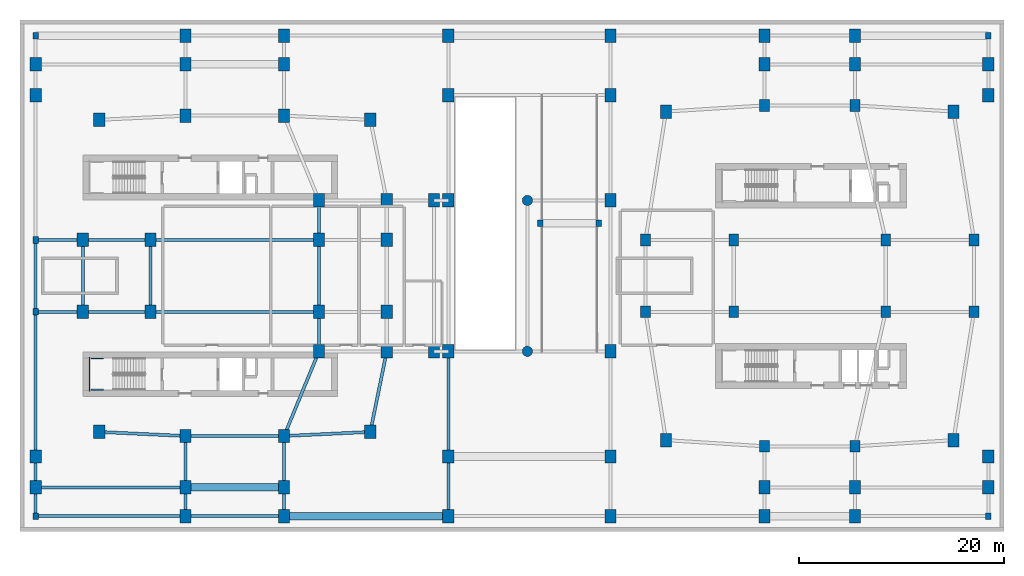
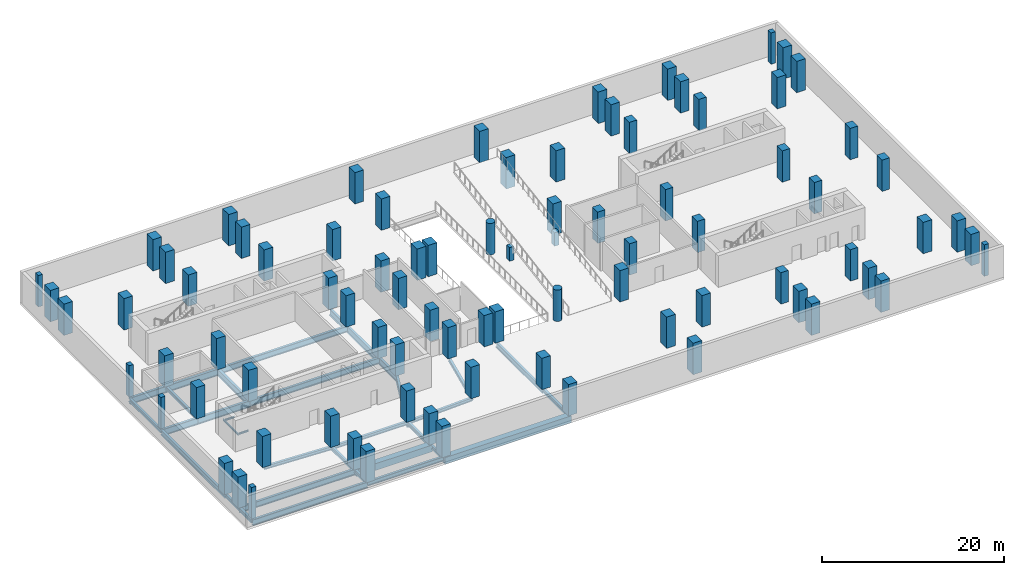
# One storey, part 1 of 13: 84 columns, 34 beams.
"""IFC4 building model written with IfcOpenShell, lengths in metres."""

import ifcopenshell
import ifcopenshell.guid

model = None  # the IFC model being written
_history = None  # IfcOwnerHistory: only IFC2X3 demands one
_inside = {}  # id of a spatial element -> (the spatial element, [elements in it])
_under = {}  # id of a project, library or spatial element -> (it, [spatial elements below it])
_declared = {}  # id of a project -> (the project, [libraries it declares])
_typed = {}  # id of a type object -> (the type object, [elements of that type])
_made_of = {}  # id of a material, layer set ... -> (it, [elements and type objects made of it])


def new_model(schema):
    """Start an empty IFC model of exactly this schema.

    Asked for "IFC4X3", IfcOpenShell would pick the latest addendum, in which some entities
    have other attributes; the version numbers below select the first issue.
    IFC2X3 requires an IfcOwnerHistory on every rooted entity: one is made here for all.
    """
    global model, _history
    if schema == "IFC4X3":
        model = ifcopenshell.file(schema_version=(4, 3, 0, 0))
    else:
        model = ifcopenshell.file(schema=schema)
    _inside.clear()
    _under.clear()
    _declared.clear()
    _typed.clear()
    _made_of.clear()
    _history = None
    if model.schema == "IFC2X3":
        org = make("IfcOrganization", Name="unknown")
        user = make(
            "IfcPersonAndOrganization",
            ThePerson=make("IfcPerson", FamilyName="unknown"),
            TheOrganization=org,
        )
        app = make(
            "IfcApplication",
            ApplicationDeveloper=org,
            Version="unknown",
            ApplicationFullName="unknown",
            ApplicationIdentifier="unknown",
        )
        _history = make(
            "IfcOwnerHistory",
            OwningUser=user,
            OwningApplication=app,
            ChangeAction="ADDED",
            CreationDate=0,
        )
    return model


def make(cls, **values):
    """One entity of the class cls with the attributes given. An attribute that is None is left unset."""
    return model.create_entity(
        cls, **{name: value for name, value in values.items() if value is not None}
    )


def rooted(cls, **values):
    """An entity with a GlobalId (a new one), such as an element, a storey or a relation."""
    return make(cls, GlobalId=ifcopenshell.guid.new(), OwnerHistory=_history, **values)


def si_unit(unit_type, name, prefix=None):
    """IfcSIUnit, for example si_unit("LENGTHUNIT", "METRE", prefix="MILLI")."""
    return make("IfcSIUnit", UnitType=unit_type, Prefix=prefix, Name=name)


def derived_unit(unit_type, elements):
    """IfcDerivedUnit: a product of units, each with its exponent."""
    return make(
        "IfcDerivedUnit",
        Elements=[
            make("IfcDerivedUnitElement", Unit=unit, Exponent=power)
            for unit, power in elements
        ],
        UnitType=unit_type,
    )


def assignment(units):
    """IfcUnitAssignment: the units of a project."""
    return None if units is None else make("IfcUnitAssignment", Units=units)


def point(xyz):
    """IfcCartesianPoint."""
    return None if xyz is None else make("IfcCartesianPoint", Coordinates=xyz)


def direction(xyz):
    """IfcDirection."""
    return None if xyz is None else make("IfcDirection", DirectionRatios=xyz)


def frame(location, z_axis=None, x_axis=None):
    """IfcAxis2Placement3D, a coordinate frame: its origin and axes. An axis left out is left unset."""
    return make(
        "IfcAxis2Placement3D",
        Location=point(location),
        Axis=direction(z_axis),
        RefDirection=direction(x_axis),
    )


def frame_2d(location, x_axis=None):
    """IfcAxis2Placement2D, a coordinate frame in the plane: its origin and x axis."""
    return make(
        "IfcAxis2Placement2D", Location=point(location), RefDirection=direction(x_axis)
    )


def origin():
    """The frame at (0, 0, 0) with its axes left unset."""
    return frame((0.0, 0.0, 0.0))


def origin_2d():
    """The frame at (0, 0) in the plane with its x axis left unset."""
    return frame_2d((0.0, 0.0))


def place(relative_to, where):
    """IfcLocalPlacement: puts the frame where relative to a parent placement (None: the world)."""
    return make(
        "IfcLocalPlacement", PlacementRelTo=relative_to, RelativePlacement=where
    )


def context(
    kind, dimensions, precision=None, world=None, true_north=None, identifier=None
):
    """IfcGeometricRepresentationContext, for example the 3D "Model" context."""
    return make(
        "IfcGeometricRepresentationContext",
        ContextIdentifier=identifier,
        ContextType=kind,
        CoordinateSpaceDimension=dimensions,
        Precision=precision,
        WorldCoordinateSystem=world,
        TrueNorth=true_north,
    )


def subcontext(parent, identifier, kind, view, scale=None):
    """IfcGeometricRepresentationSubContext, for example "Body" below "Model"."""
    return make(
        "IfcGeometricRepresentationSubContext",
        ContextIdentifier=identifier,
        ContextType=kind,
        ParentContext=parent,
        TargetScale=scale,
        TargetView=view,
    )


def project(units=None, contexts=None):
    """IfcProject with its units and contexts."""
    return rooted(
        "IfcProject",
        Name="project",
        RepresentationContexts=contexts,
        UnitsInContext=assignment(units),
    )


def spatial(cls, under=None, at=None, **own):
    """A site, building, storey or space (cls), placed at a placement, below another one or the project."""
    s = rooted(cls, ObjectPlacement=at, **own)
    if under is not None:
        _under.setdefault(under.id(), (under, []))[1].append(s)
    return s


def profile(cls, at=None, kind="AREA", **sizes):
    """A parametric profile (cls). Its sizes go by their IFC names, for example OverallWidth=200.0."""
    return make(cls, ProfileType=kind, Position=at, **sizes)


def rectangle(**sizes):
    """IfcRectangleProfileDef."""
    return profile("IfcRectangleProfileDef", **sizes)


def circle(**sizes):
    """IfcCircleProfileDef."""
    return profile("IfcCircleProfileDef", **sizes)


def i_section(**sizes):
    """IfcIShapeProfileDef."""
    return profile("IfcIShapeProfileDef", **sizes)


def extrude(swept, where, along, depth):
    """IfcExtrudedAreaSolid: the profile swept, set in the frame where, extruded along a direction by depth."""
    return make(
        "IfcExtrudedAreaSolid",
        SweptArea=swept,
        Position=where,
        ExtrudedDirection=direction(along),
        Depth=depth,
    )


def shape(context_of_items, identifier, shape_type, items):
    """IfcShapeRepresentation: the items that make up one representation, for example the "Body"."""
    return make(
        "IfcShapeRepresentation",
        ContextOfItems=context_of_items,
        RepresentationIdentifier=identifier,
        RepresentationType=shape_type,
        Items=items,
    )


def material(Name=None, Category=None):
    """IfcMaterial."""
    return make("IfcMaterial", Name=Name, Category=Category)


def material_profile(
    of_material, cross_section, Name=None, Category=None, Priority=None
):
    """IfcMaterialProfile: a cross section and its material."""
    return make(
        "IfcMaterialProfile",
        Name=Name,
        Material=of_material,
        Profile=cross_section,
        Priority=Priority,
        Category=Category,
    )


def profile_set(profiles, Name=None, composite=None):
    """IfcMaterialProfileSet."""
    return make(
        "IfcMaterialProfileSet",
        Name=Name,
        MaterialProfiles=profiles,
        CompositeProfile=composite,
    )


def made_of(thing, what):
    """Note that an element or type object is made of a material, layer set ...; save() writes the relation."""
    if what is not None:
        _made_of.setdefault(what.id(), (what, []))[1].append(thing)
    return thing


def type_object(cls, material=None, **own):
    """A type object (cls), such as IfcWallType, which elements share."""
    return made_of(rooted(cls, **own), material)


def element(
    cls,
    number,
    at=None,
    inside=None,
    cuts=None,
    type_object=None,
    material=None,
    context=None,
    identifier="Body",
    shape_type=None,
    held_by="IfcProductDefinitionShape",
    body=None,
    shapes=None,
    **own,
):
    """One element of the class cls, such as IfcWall. Its Tag is "e" and its number.

    at: its placement. inside: the storey or other place that contains it. cuts: it is an
    opening in that element (IfcRelVoidsElement). A single representation is given by context,
    identifier, shape_type and body (its items); several are given by shapes. held_by: the class
    of the entity that holds the representations. save() writes the other relations.
    """
    e = rooted(cls, Tag="e%d" % number, ObjectPlacement=at, **own)
    if body is not None:
        shapes = [shape(context, identifier, shape_type, body)]
    if shapes is not None:
        e.Representation = make(held_by, Representations=shapes)
    if inside is not None:
        _inside.setdefault(inside.id(), (inside, []))[1].append(e)
    if cuts is not None:
        rooted(
            "IfcRelVoidsElement", RelatingBuildingElement=cuts, RelatedOpeningElement=e
        )
    if type_object is not None:
        _typed.setdefault(type_object.id(), (type_object, []))[1].append(e)
    return made_of(e, material)


def aggregate(whole, parts):
    """IfcRelAggregates: a whole, such as a stair, and the parts it consists of."""
    return rooted("IfcRelAggregates", RelatingObject=whole, RelatedObjects=parts)


def save(model, path):
    """Write the relations noted so far, then the file.

    IfcRelAggregates (storeys below a building ...), IfcRelContainedInSpatialStructure (elements
    in a storey), IfcRelDefinesByType, IfcRelAssociatesMaterial and IfcRelDeclares: one each for
    every whole, place, type object, material and project.
    """
    for whole, parts in _under.values():
        aggregate(whole, parts)
    for where, things in _inside.values():
        rooted(
            "IfcRelContainedInSpatialStructure",
            RelatedElements=things,
            RelatingStructure=where,
        )
    for kind, things in _typed.values():
        rooted("IfcRelDefinesByType", RelatedObjects=things, RelatingType=kind)
    for what, things in _made_of.values():
        rooted("IfcRelAssociatesMaterial", RelatedObjects=things, RelatingMaterial=what)
    for by, libraries in _declared.values():
        rooted("IfcRelDeclares", RelatingContext=by, RelatedDefinitions=libraries)
    model.write(path)


model = new_model("IFC4")

# Units and contexts
model_context = context("Model", 3, precision=1e-05, world=origin(), true_north=direction((0.0, 1.0)))
body_context = subcontext(model_context, "Body", "Model", "MODEL_VIEW")
ifc_project = project(units=[si_unit("LENGTHUNIT", "METRE"), si_unit("AREAUNIT", "SQUARE_METRE"), si_unit("VOLUMEUNIT", "CUBIC_METRE"), si_unit("PLANEANGLEUNIT", "RADIAN"), si_unit("MASSUNIT", "GRAM", prefix="KILO"), derived_unit("THERMALTRANSMITTANCEUNIT", [(si_unit("POWERUNIT", "WATT"), 1), (si_unit("LENGTHUNIT", "METRE"), -2), (si_unit("THERMODYNAMICTEMPERATUREUNIT", "KELVIN"), -1)])], contexts=[model_context])

# Site, building, storey
site_placement = place(None, origin())
site = spatial("IfcSite", under=ifc_project, at=site_placement, CompositionType="ELEMENT")
building_placement = place(site_placement, origin())
building = spatial("IfcBuilding", under=site, at=building_placement, Name="Kivonza Crest Hotel", CompositionType="ELEMENT")
storey_placement = place(building_placement, frame((0.0, 0.0, -4.199951171875)))
storey = spatial("IfcBuildingStorey", under=building, at=storey_placement, Name="B1", CompositionType="ELEMENT", Elevation=-4.199951171875)

# Columns
ifc_material_1 = material(Name="Concrete C60/75", Category="concrete")
ifc_material_profile_1 = material_profile(ifc_material_1, rectangle(XDim=0.550048828125, YDim=0.64990234375, at=origin_2d()), Name="RC 650x550")
ifc_profile_set_1 = profile_set([ifc_material_profile_1], Name="Concrete C60/75")
column_type_1 = type_object("IfcColumnType", Name="CL-PIL-650x550", PredefinedType="PILASTER", material=ifc_profile_set_1)
for number, where, z_axis, x_axis, name in (
    (1, (1.60009765625, 21.5, 0.0), (0.0, 0.0, 1.0), (1.0, 0.0, 0.0), "Tower T1 B1 column Z1W1"),
    (2, (1.60009765625, 28.5, 0.0), (0.0, 0.0, 1.0), (1.0, 0.0, 0.0), "Tower T1 B1 column Z1W2"),
    (3, (1.60009765625, 1.60009765625, 0.0), (0.0, 0.0, 1.0), (1.0, 0.0, 0.0), "Podium B1 column PS01"),
    (4, (1.60009765625, 48.39990234375, 0.0), (0.0, 0.0, 1.0), (1.0, 0.0, 0.0), "Podium B1 column PN01"),
    (5, (94.39990234375, 1.60009765625, 0.0), (0.0, 0.0, 1.0), (1.0, 0.0, 0.0), "Podium B1 column PS08"),
    (6, (94.39990234375, 48.39990234375, 0.0), (0.0, 0.0, 1.0), (1.0, 0.0, 0.0), "Podium B1 column PN08"),
):
    element("IfcColumn", number, at=place(storey_placement, frame(where, z_axis=z_axis, x_axis=x_axis)), inside=storey, type_object=column_type_1, Name=name, PredefinedType="PILASTER", context=body_context, shape_type="SweptSolid", body=[
        extrude(rectangle(XDim=0.550048828125, YDim=0.64990234375, at=origin_2d()), origin(), (0.0, 0.0, 1.0), 4.199951171875),
    ])
for number, where, z_axis, x_axis, name in (
    (7, (50.75, 30.125, 0.0), (0.0, 0.0, 1.0), (1.0, 0.0, 0.0), "B1 vehicle ramp midspan support pier W2"),
    (8, (56.449951171875, 30.125, 0.0), (0.0, 0.0, 1.0), (1.0, 0.0, 0.0), "B1 vehicle ramp midspan support pier E2"),
):
    element("IfcColumn", number, at=place(storey_placement, frame(where, z_axis=z_axis, x_axis=x_axis)), inside=storey, type_object=column_type_1, Name=name, PredefinedType="PILASTER", context=body_context, shape_type="SweptSolid", body=[
        extrude(rectangle(XDim=0.550048828125, YDim=0.64990234375, at=origin_2d()), origin(), (0.0, 0.0, 1.0), 1.820068359375),
    ])
ifc_material_profile_2 = material_profile(ifc_material_1, rectangle(XDim=0.949951171875, YDim=1.14990234375, at=origin_2d()), Name="RC 1150x950")
ifc_profile_set_2 = profile_set([ifc_material_profile_2], Name="Concrete C60/75")
column_type_2 = type_object("IfcColumnType", Name="CL-RC-1150x950", PredefinedType="COLUMN", material=ifc_profile_set_2)
for number, where, z_axis, x_axis, name in (
    (9, (72.60009765625, 8.39990234375, 0.0), (0.0, 0.0, 1.0), (1.0, 0.0, 0.0), "Companion Tower T2 B1 column S1"),
    (10, (81.39990234375, 8.39990234375, 0.0), (0.0, 0.0, 1.0), (1.0, 0.0, 0.0), "Companion Tower T2 B1 column S2"),
    (11, (72.60009765625, 41.60009765625, 0.0), (0.0, 0.0, 1.0), (1.0, 0.0, 0.0), "Companion Tower T2 B1 column N1"),
    (12, (81.39990234375, 41.60009765625, 0.0), (0.0, 0.0, 1.0), (1.0, 0.0, 0.0), "Companion Tower T2 B1 column N2"),
    (13, (61.0, 21.5, 0.0), (0.0, 0.0, 1.0), (1.0, 0.0, 0.0), "Companion Tower T2 B1 column W1"),
    (14, (61.0, 28.5, 0.0), (0.0, 0.0, 1.0), (1.0, 0.0, 0.0), "Companion Tower T2 B1 column W2"),
    (15, (93.0, 21.5, 0.0), (0.0, 0.0, 1.0), (1.0, 0.0, 0.0), "Companion Tower T2 B1 column E1"),
    (16, (93.0, 28.5, 0.0), (0.0, 0.0, 1.0), (1.0, 0.0, 0.0), "Companion Tower T2 B1 column E2"),
    (17, (69.60009765625, 21.5, 0.0), (0.0, 0.0, 1.0), (1.0, 0.0, 0.0), "Companion Tower T2 B1 column WL1"),
    (18, (69.60009765625, 28.5, 0.0), (0.0, 0.0, 1.0), (1.0, 0.0, 0.0), "Companion Tower T2 B1 column WL2"),
    (19, (84.39990234375, 21.5, 0.0), (0.0, 0.0, 1.0), (1.0, 0.0, 0.0), "Companion Tower T2 B1 column WR1"),
    (20, (84.39990234375, 28.5, 0.0), (0.0, 0.0, 1.0), (1.0, 0.0, 0.0), "Companion Tower T2 B1 column WR2"),
):
    element("IfcColumn", number, at=place(storey_placement, frame(where, z_axis=z_axis, x_axis=x_axis)), inside=storey, type_object=column_type_2, Name=name, PredefinedType="COLUMN", context=body_context, shape_type="SweptSolid", body=[
        extrude(rectangle(XDim=0.949951171875, YDim=1.14990234375, at=origin_2d()), origin(), (0.0, 0.0, 1.0), 4.199951171875),
    ])
ifc_material_profile_3 = material_profile(ifc_material_1, rectangle(XDim=1.10009765625, YDim=1.300048828125, at=origin_2d()), Name="RC 1300x1100")
ifc_profile_set_3 = profile_set([ifc_material_profile_3], Name="Concrete C60/75")
column_type_3 = type_object("IfcColumnType", Name="CL-RC-1300x1100", PredefinedType="COLUMN", material=ifc_profile_set_3)
for number, where, z_axis, x_axis, name in (
    (21, (16.199951171875, 9.39990234375, 0.0), (0.0, 0.0, 1.0), (1.0, 0.0, 0.0), "Tower T1 B1 column S1"),
    (22, (25.800048828125, 9.39990234375, 0.0), (0.0, 0.0, 1.0), (1.0, 0.0, 0.0), "Tower T1 B1 column S2"),
    (23, (16.199951171875, 40.60009765625, 0.0), (0.0, 0.0, 1.0), (1.0, 0.0, 0.0), "Tower T1 B1 column N1"),
    (24, (25.800048828125, 40.60009765625, 0.0), (0.0, 0.0, 1.0), (1.0, 0.0, 0.0), "Tower T1 B1 column N2"),
    (25, (6.199951171875, 21.5, 0.0), (0.0, 0.0, 1.0), (1.0, 0.0, 0.0), "Tower T1 B1 column W1"),
    (26, (6.199951171875, 28.5, 0.0), (0.0, 0.0, 1.0), (1.0, 0.0, 0.0), "Tower T1 B1 column W2"),
    (27, (7.800048828125, 9.800048828125, 0.0), (0.0, 0.0, 1.0), (1.0, 0.0, 0.0), "Tower T1 B1 column SW"),
    (28, (34.199951171875, 9.800048828125, 0.0), (0.0, 0.0, 1.0), (1.0, 0.0, 0.0), "Tower T1 B1 column SE"),
    (29, (34.199951171875, 40.199951171875, 0.0), (0.0, 0.0, 1.0), (1.0, 0.0, 0.0), "Tower T1 B1 column NE"),
    (30, (7.800048828125, 40.199951171875, 0.0), (0.0, 0.0, 1.0), (1.0, 0.0, 0.0), "Tower T1 B1 column NW"),
    (31, (35.800048828125, 21.5, 0.0), (0.0, 0.0, 1.0), (1.0, 0.0, 0.0), "Tower T1 B1 column E1"),
    (32, (35.800048828125, 28.5, 0.0), (0.0, 0.0, 1.0), (1.0, 0.0, 0.0), "Tower T1 B1 column E2"),
    (33, (35.800048828125, 17.64990234375, 0.0), (0.0, 0.0, 1.0), (1.0, 0.0, 0.0), "Tower T1 B1 column PSE"),
    (34, (35.800048828125, 32.35009765625, 0.0), (0.0, 0.0, 1.0), (1.0, 0.0, 0.0), "Tower T1 B1 column PNE"),
    (35, (12.800048828125, 21.5, 0.0), (0.0, 0.0, 1.0), (1.0, 0.0, 0.0), "Tower T1 B1 column WL1"),
    (36, (12.800048828125, 28.5, 0.0), (0.0, 0.0, 1.0), (1.0, 0.0, 0.0), "Tower T1 B1 column WL2"),
    (37, (29.199951171875, 17.64990234375, 0.0), (0.0, 0.0, 1.0), (1.0, 0.0, 0.0), "Tower T1 B1 column TSE"),
    (38, (29.199951171875, 32.35009765625, 0.0), (0.0, 0.0, 1.0), (1.0, 0.0, 0.0), "Tower T1 B1 column TNE"),
    (39, (29.199951171875, 21.5, 0.0), (0.0, 0.0, 1.0), (1.0, 0.0, 0.0), "Tower T1 B1 column WR1"),
    (40, (29.199951171875, 28.5, 0.0), (0.0, 0.0, 1.0), (1.0, 0.0, 0.0), "Tower T1 B1 column WR2"),
    (41, (40.39990234375, 17.64990234375, 0.0), (0.0, 0.0, 1.0), (1.0, 0.0, 0.0), "Tower T1 B1 column Z1E1"),
    (42, (40.39990234375, 32.35009765625, 0.0), (0.0, 0.0, 1.0), (1.0, 0.0, 0.0), "Tower T1 B1 column Z1E2"),
    (43, (63.0, 9.0, 0.0), (0.0, 0.0, 1.0), (1.0, 0.0, 0.0), "Companion Tower T2 B1 column SW"),
    (44, (91.0, 9.0, 0.0), (0.0, 0.0, 1.0), (1.0, 0.0, 0.0), "Companion Tower T2 B1 column SE"),
    (45, (91.0, 41.0, 0.0), (0.0, 0.0, 1.0), (1.0, 0.0, 0.0), "Companion Tower T2 B1 column NE"),
    (46, (63.0, 41.0, 0.0), (0.0, 0.0, 1.0), (1.0, 0.0, 0.0), "Companion Tower T2 B1 column NW"),
    (47, (41.800048828125, 17.64990234375, 0.0), (0.0, 0.0, 1.0), (1.0, 0.0, 0.0), "Podium B1 column LK1S"),
    (48, (41.800048828125, 32.35009765625, 0.0), (0.0, 0.0, 1.0), (1.0, 0.0, 0.0), "Podium B1 column LK1N"),
    (49, (57.60009765625, 17.64990234375, 0.0), (0.0, 0.0, 1.0), (1.0, 0.0, 0.0), "Podium B1 column LK3S"),
    (50, (57.60009765625, 32.35009765625, 0.0), (0.0, 0.0, 1.0), (1.0, 0.0, 0.0), "Podium B1 column LK3N"),
    (51, (16.199951171875, 1.60009765625, 0.0), (0.0, 0.0, 1.0), (1.0, 0.0, 0.0), "Podium B1 column PS02"),
    (52, (16.199951171875, 48.39990234375, 0.0), (0.0, 0.0, 1.0), (1.0, 0.0, 0.0), "Podium B1 column PN02"),
    (53, (25.800048828125, 1.60009765625, 0.0), (0.0, 0.0, 1.0), (1.0, 0.0, 0.0), "Podium B1 column PS03"),
    (54, (25.800048828125, 48.39990234375, 0.0), (0.0, 0.0, 1.0), (1.0, 0.0, 0.0), "Podium B1 column PN03"),
    (55, (41.800048828125, 1.60009765625, 0.0), (0.0, 0.0, 1.0), (1.0, 0.0, 0.0), "Podium B1 column PS04"),
    (56, (41.800048828125, 48.39990234375, 0.0), (0.0, 0.0, 1.0), (1.0, 0.0, 0.0), "Podium B1 column PN04"),
    (57, (57.60009765625, 1.60009765625, 0.0), (0.0, 0.0, 1.0), (1.0, 0.0, 0.0), "Podium B1 column PS05"),
    (58, (57.60009765625, 48.39990234375, 0.0), (0.0, 0.0, 1.0), (1.0, 0.0, 0.0), "Podium B1 column PN05"),
    (59, (72.60009765625, 1.60009765625, 0.0), (0.0, 0.0, 1.0), (1.0, 0.0, 0.0), "Podium B1 column PS06"),
    (60, (72.60009765625, 48.39990234375, 0.0), (0.0, 0.0, 1.0), (1.0, 0.0, 0.0), "Podium B1 column PN06"),
    (61, (81.39990234375, 1.60009765625, 0.0), (0.0, 0.0, 1.0), (1.0, 0.0, 0.0), "Podium B1 column PS07"),
    (62, (81.39990234375, 48.39990234375, 0.0), (0.0, 0.0, 1.0), (1.0, 0.0, 0.0), "Podium B1 column PN07"),
    (63, (1.60009765625, 4.39990234375, 0.0), (0.0, 0.0, 1.0), (1.0, 0.0, 0.0), "Podium B1 column PS21"),
    (64, (1.60009765625, 45.60009765625, 0.0), (0.0, 0.0, 1.0), (1.0, 0.0, 0.0), "Podium B1 column PN21"),
    (65, (16.199951171875, 4.39990234375, 0.0), (0.0, 0.0, 1.0), (1.0, 0.0, 0.0), "Podium B1 column PS22"),
    (66, (16.199951171875, 45.60009765625, 0.0), (0.0, 0.0, 1.0), (1.0, 0.0, 0.0), "Podium B1 column PN22"),
    (67, (25.800048828125, 4.39990234375, 0.0), (0.0, 0.0, 1.0), (1.0, 0.0, 0.0), "Podium B1 column PS23"),
    (68, (25.800048828125, 45.60009765625, 0.0), (0.0, 0.0, 1.0), (1.0, 0.0, 0.0), "Podium B1 column PN23"),
    (69, (72.60009765625, 4.39990234375, 0.0), (0.0, 0.0, 1.0), (1.0, 0.0, 0.0), "Podium B1 column PS24"),
    (70, (72.60009765625, 45.60009765625, 0.0), (0.0, 0.0, 1.0), (1.0, 0.0, 0.0), "Podium B1 column PN24"),
    (71, (81.39990234375, 4.39990234375, 0.0), (0.0, 0.0, 1.0), (1.0, 0.0, 0.0), "Podium B1 column PS25"),
    (72, (81.39990234375, 45.60009765625, 0.0), (0.0, 0.0, 1.0), (1.0, 0.0, 0.0), "Podium B1 column PN25"),
    (73, (94.39990234375, 4.39990234375, 0.0), (0.0, 0.0, 1.0), (1.0, 0.0, 0.0), "Podium B1 column PS26"),
    (74, (94.39990234375, 45.60009765625, 0.0), (0.0, 0.0, 1.0), (1.0, 0.0, 0.0), "Podium B1 column PN26"),
    (75, (1.60009765625, 7.39990234375, 0.0), (0.0, 0.0, 1.0), (1.0, 0.0, 0.0), "Podium B1 column PS41"),
    (76, (1.60009765625, 42.60009765625, 0.0), (0.0, 0.0, 1.0), (1.0, 0.0, 0.0), "Podium B1 column PN41"),
    (77, (41.800048828125, 7.39990234375, 0.0), (0.0, 0.0, 1.0), (1.0, 0.0, 0.0), "Podium B1 column PS42"),
    (78, (41.800048828125, 42.60009765625, 0.0), (0.0, 0.0, 1.0), (1.0, 0.0, 0.0), "Podium B1 column PN42"),
    (79, (57.60009765625, 7.39990234375, 0.0), (0.0, 0.0, 1.0), (1.0, 0.0, 0.0), "Podium B1 column PS43"),
    (80, (57.60009765625, 42.60009765625, 0.0), (0.0, 0.0, 1.0), (1.0, 0.0, 0.0), "Podium B1 column PN43"),
    (81, (94.39990234375, 7.39990234375, 0.0), (0.0, 0.0, 1.0), (1.0, 0.0, 0.0), "Podium B1 column PS44"),
    (82, (94.39990234375, 42.60009765625, 0.0), (0.0, 0.0, 1.0), (1.0, 0.0, 0.0), "Podium B1 column PN44"),
):
    element("IfcColumn", number, at=place(storey_placement, frame(where, z_axis=z_axis, x_axis=x_axis)), inside=storey, type_object=column_type_3, Name=name, PredefinedType="COLUMN", context=body_context, shape_type="SweptSolid", body=[
        extrude(rectangle(XDim=1.10009765625, YDim=1.300048828125, at=origin_2d()), origin(), (0.0, 0.0, 1.0), 4.199951171875),
    ])
ifc_material_profile_4 = material_profile(ifc_material_1, circle(Radius=0.5, at=origin_2d()), Name="RC D1000")
ifc_profile_set_4 = profile_set([ifc_material_profile_4], Name="Concrete C60/75")
column_type_4 = type_object("IfcColumnType", Name="CL-RC-D1000", PredefinedType="COLUMN", material=ifc_profile_set_4)
for number, where, z_axis, x_axis, name in (
    (83, (49.5, 17.64990234375, 0.0), (0.0, 0.0, 1.0), (1.0, 0.0, 0.0), "Podium B1 column LK2S"),
    (84, (49.5, 32.35009765625, 0.0), (0.0, 0.0, 1.0), (1.0, 0.0, 0.0), "Podium B1 column LK2N"),
):
    element("IfcColumn", number, at=place(storey_placement, frame(where, z_axis=z_axis, x_axis=x_axis)), inside=storey, type_object=column_type_4, Name=name, PredefinedType="COLUMN", context=body_context, shape_type="SweptSolid", body=[
        extrude(circle(Radius=0.5, at=origin_2d()), origin(), (0.0, 0.0, 1.0), 4.199951171875),
    ])

# Beams
ifc_material_2 = material(Name="Steel S355", Category="steel")
ifc_material_profile_5 = material_profile(ifc_material_2, i_section(OverallWidth=0.300048828125, OverallDepth=0.449951171875, WebThickness=0.013916015625, FlangeThickness=0.02587890625, FilletRadius=0.027099609375, at=origin_2d()), Name="HEB 450")
ifc_profile_set_5 = profile_set([ifc_material_profile_5], Name="Steel S355")
beam_type_1 = type_object("IfcBeamType", Name="BM-HEB450", PredefinedType="SPANDREL", material=ifc_profile_set_5)
beam_1_placement = place(storey_placement, frame((16.199951171875, 9.39990234375, -0.545166015625), z_axis=(1.0, 0.0, 0.0), x_axis=(0.0, 1.0, 0.0)))
element("IfcBeam", 85, at=beam_1_placement, inside=storey, type_object=beam_type_1, Name="Tower T1 B1 perimeter spandrel S1-S2", PredefinedType="SPANDREL", context=body_context, shape_type="SweptSolid", body=[
    extrude(i_section(OverallWidth=0.300048828125, OverallDepth=0.449951171875, WebThickness=0.013916015625, FlangeThickness=0.02587890625, FilletRadius=0.027099609375, at=origin_2d()), origin(), (0.0, 0.0, 1.0), 9.60009765625),
])
beam_2_placement = place(storey_placement, frame((25.800048828125, 9.39990234375, -0.545166015625), z_axis=(0.998867283688, 0.047583080799, 0.0), x_axis=(-0.047583080799, 0.998867283688, 0.0)))
element("IfcBeam", 86, at=beam_2_placement, inside=storey, type_object=beam_type_1, Name="Tower T1 B1 perimeter spandrel S2-SE", PredefinedType="SPANDREL", context=body_context, shape_type="SweptSolid", body=[
    extrude(i_section(OverallWidth=0.300048828125, OverallDepth=0.449951171875, WebThickness=0.013916015625, FlangeThickness=0.02587890625, FilletRadius=0.027099609375, at=origin_2d()), origin(), (0.0, 0.0, 1.0), 8.409423828125),
])
beam_3_placement = place(storey_placement, frame((34.199951171875, 9.800048828125, -0.545166015625), z_axis=(0.199730733965, 0.979850822273, 0.0), x_axis=(-0.979850822273, 0.199730733965, 0.0)))
element("IfcBeam", 87, at=beam_3_placement, inside=storey, type_object=beam_type_1, Name="Tower T1 B1 perimeter spandrel SE-PSE", PredefinedType="SPANDREL", context=body_context, shape_type="SweptSolid", body=[
    extrude(i_section(OverallWidth=0.300048828125, OverallDepth=0.449951171875, WebThickness=0.013916015625, FlangeThickness=0.02587890625, FilletRadius=0.027099609375, at=origin_2d()), origin(), (0.0, 0.0, 1.0), 8.01123046875),
])
beam_4_placement = place(storey_placement, frame((6.199951171875, 28.5, -0.545166015625), z_axis=(0.0, -1.0, 0.0), x_axis=(1.0, 0.0, 0.0)))
element("IfcBeam", 88, at=beam_4_placement, inside=storey, type_object=beam_type_1, Name="Tower T1 B1 perimeter spandrel W2-W1", PredefinedType="SPANDREL", context=body_context, shape_type="SweptSolid", body=[
    extrude(i_section(OverallWidth=0.300048828125, OverallDepth=0.449951171875, WebThickness=0.013916015625, FlangeThickness=0.02587890625, FilletRadius=0.027099609375, at=origin_2d()), origin(), (0.0, 0.0, 1.0), 7.0),
])
beam_5_placement = place(storey_placement, frame((7.800048828125, 9.800048828125, -0.545166015625), z_axis=(0.998867283688, -0.047583080799, 0.0), x_axis=(0.047583080799, 0.998867283688, 0.0)))
element("IfcBeam", 89, at=beam_5_placement, inside=storey, type_object=beam_type_1, Name="Tower T1 B1 perimeter spandrel SW-S1", PredefinedType="SPANDREL", context=body_context, shape_type="SweptSolid", body=[
    extrude(i_section(OverallWidth=0.300048828125, OverallDepth=0.449951171875, WebThickness=0.013916015625, FlangeThickness=0.02587890625, FilletRadius=0.027099609375, at=origin_2d()), origin(), (0.0, 0.0, 1.0), 8.409423828125),
])
ifc_material_profile_6 = material_profile(ifc_material_2, i_section(OverallWidth=0.300048828125, OverallDepth=0.5, WebThickness=0.014404296875, FlangeThickness=0.028076171875, FilletRadius=0.027099609375, at=origin_2d()), Name="HEB 500")
ifc_profile_set_6 = profile_set([ifc_material_profile_6], Name="Steel S355")
beam_type_2 = type_object("IfcBeamType", Name="BM-HEB500", PredefinedType="BEAM", material=ifc_profile_set_6)
beam_6_placement = place(storey_placement, frame((1.60009765625, 1.60009765625, -0.570068359375), z_axis=(0.0, 1.0, 0.0), x_axis=(-1.0, 0.0, 0.0)))
element("IfcBeam", 90, at=beam_6_placement, inside=storey, type_object=beam_type_2, Name="B1 podium girder Y 52", PredefinedType="BEAM", context=body_context, shape_type="SweptSolid", body=[
    extrude(i_section(OverallWidth=0.300048828125, OverallDepth=0.5, WebThickness=0.014404296875, FlangeThickness=0.028076171875, FilletRadius=0.027099609375, at=origin_2d()), origin(), (0.0, 0.0, 1.0), 2.7998046875),
])
beam_7_placement = place(storey_placement, frame((1.60009765625, 4.39990234375, -0.570068359375), z_axis=(0.0, 1.0, 0.0), x_axis=(-1.0, 0.0, 0.0)))
element("IfcBeam", 91, at=beam_7_placement, inside=storey, type_object=beam_type_2, Name="B1 podium girder Y 53", PredefinedType="BEAM", context=body_context, shape_type="SweptSolid", body=[
    extrude(i_section(OverallWidth=0.300048828125, OverallDepth=0.5, WebThickness=0.014404296875, FlangeThickness=0.028076171875, FilletRadius=0.027099609375, at=origin_2d()), origin(), (0.0, 0.0, 1.0), 3.0),
])
beam_8_placement = place(storey_placement, frame((1.60009765625, 21.5, -0.570068359375), z_axis=(0.0, 1.0, 0.0), x_axis=(-1.0, 0.0, 0.0)))
element("IfcBeam", 92, at=beam_8_placement, inside=storey, type_object=beam_type_2, Name="B1 podium girder Y 55", PredefinedType="BEAM", context=body_context, shape_type="SweptSolid", body=[
    extrude(i_section(OverallWidth=0.300048828125, OverallDepth=0.5, WebThickness=0.014404296875, FlangeThickness=0.028076171875, FilletRadius=0.027099609375, at=origin_2d()), origin(), (0.0, 0.0, 1.0), 7.0),
])
beam_9_placement = place(storey_placement, frame((16.199951171875, 1.60009765625, -0.570068359375), z_axis=(0.0, 1.0, 0.0), x_axis=(-1.0, 0.0, 0.0)))
element("IfcBeam", 93, at=beam_9_placement, inside=storey, type_object=beam_type_2, Name="B1 podium girder Y 61", PredefinedType="BEAM", context=body_context, shape_type="SweptSolid", body=[
    extrude(i_section(OverallWidth=0.300048828125, OverallDepth=0.5, WebThickness=0.014404296875, FlangeThickness=0.028076171875, FilletRadius=0.027099609375, at=origin_2d()), origin(), (0.0, 0.0, 1.0), 2.7998046875),
])
beam_10_placement = place(storey_placement, frame((16.199951171875, 4.39990234375, -0.570068359375), z_axis=(0.0, 1.0, 0.0), x_axis=(-1.0, 0.0, 0.0)))
element("IfcBeam", 94, at=beam_10_placement, inside=storey, type_object=beam_type_2, Name="B1 podium girder Y 62", PredefinedType="BEAM", context=body_context, shape_type="SweptSolid", body=[
    extrude(i_section(OverallWidth=0.300048828125, OverallDepth=0.5, WebThickness=0.014404296875, FlangeThickness=0.028076171875, FilletRadius=0.027099609375, at=origin_2d()), origin(), (0.0, 0.0, 1.0), 5.0),
])
beam_11_placement = place(storey_placement, frame((25.800048828125, 1.60009765625, -0.570068359375), z_axis=(0.0, 1.0, 0.0), x_axis=(-1.0, 0.0, 0.0)))
element("IfcBeam", 95, at=beam_11_placement, inside=storey, type_object=beam_type_2, Name="B1 podium girder Y 65", PredefinedType="BEAM", context=body_context, shape_type="SweptSolid", body=[
    extrude(i_section(OverallWidth=0.300048828125, OverallDepth=0.5, WebThickness=0.014404296875, FlangeThickness=0.028076171875, FilletRadius=0.027099609375, at=origin_2d()), origin(), (0.0, 0.0, 1.0), 2.7998046875),
])
beam_12_placement = place(storey_placement, frame((25.800048828125, 4.39990234375, -0.570068359375), z_axis=(0.0, 1.0, 0.0), x_axis=(-1.0, 0.0, 0.0)))
element("IfcBeam", 96, at=beam_12_placement, inside=storey, type_object=beam_type_2, Name="B1 podium girder Y 66", PredefinedType="BEAM", context=body_context, shape_type="SweptSolid", body=[
    extrude(i_section(OverallWidth=0.300048828125, OverallDepth=0.5, WebThickness=0.014404296875, FlangeThickness=0.028076171875, FilletRadius=0.027099609375, at=origin_2d()), origin(), (0.0, 0.0, 1.0), 5.0),
])
beam_13_placement = place(storey_placement, frame((41.800048828125, 1.60009765625, -0.570068359375), z_axis=(0.0, 1.0, 0.0), x_axis=(-1.0, 0.0, 0.0)))
element("IfcBeam", 97, at=beam_13_placement, inside=storey, type_object=beam_type_2, Name="B1 podium girder Y 76", PredefinedType="BEAM", context=body_context, shape_type="SweptSolid", body=[
    extrude(i_section(OverallWidth=0.300048828125, OverallDepth=0.5, WebThickness=0.014404296875, FlangeThickness=0.028076171875, FilletRadius=0.027099609375, at=origin_2d()), origin(), (0.0, 0.0, 1.0), 5.7998046875),
])
ifc_material_profile_7 = material_profile(ifc_material_2, i_section(OverallWidth=0.300048828125, OverallDepth=0.60009765625, WebThickness=0.015380859375, FlangeThickness=0.030029296875, FilletRadius=0.027099609375, at=origin_2d()), Name="HEB 600")
ifc_profile_set_7 = profile_set([ifc_material_profile_7], Name="Steel S355")
beam_type_3 = type_object("IfcBeamType", Name="BM-HEB600", PredefinedType="BEAM", material=ifc_profile_set_7)
beam_14_placement = place(storey_placement, frame((16.199951171875, 1.60009765625, -0.6201171875), z_axis=(1.0, 0.0, 0.0), x_axis=(0.0, 1.0, 0.0)))
element("IfcBeam", 98, at=beam_14_placement, inside=storey, type_object=beam_type_3, Name="B1 podium girder X 2", PredefinedType="BEAM", context=body_context, shape_type="SweptSolid", body=[
    extrude(i_section(OverallWidth=0.300048828125, OverallDepth=0.60009765625, WebThickness=0.015380859375, FlangeThickness=0.030029296875, FilletRadius=0.027099609375, at=origin_2d()), origin(), (0.0, 0.0, 1.0), 9.60009765625),
])
ifc_material_profile_8 = material_profile(ifc_material_2, i_section(OverallWidth=0.300048828125, OverallDepth=0.699951171875, WebThickness=0.01708984375, FlangeThickness=0.031982421875, FilletRadius=0.027099609375, at=origin_2d()), Name="HEB 700")
ifc_profile_set_8 = profile_set([ifc_material_profile_8], Name="Steel S355")
beam_type_4 = type_object("IfcBeamType", Name="BM-HEB700", PredefinedType="BEAM", material=ifc_profile_set_8)
beam_15_placement = place(storey_placement, frame((1.60009765625, 7.39990234375, -0.670166015625), z_axis=(0.0, 1.0, 0.0), x_axis=(-1.0, 0.0, 0.0)))
element("IfcBeam", 99, at=beam_15_placement, inside=storey, type_object=beam_type_4, Name="B1 podium girder Y 54", PredefinedType="BEAM", context=body_context, shape_type="SweptSolid", body=[
    extrude(i_section(OverallWidth=0.300048828125, OverallDepth=0.699951171875, WebThickness=0.01708984375, FlangeThickness=0.031982421875, FilletRadius=0.027099609375, at=origin_2d()), origin(), (0.0, 0.0, 1.0), 14.10009765625),
])
beam_16_placement = place(storey_placement, frame((41.800048828125, 7.39990234375, -0.670166015625), z_axis=(0.0, 1.0, 0.0), x_axis=(-1.0, 0.0, 0.0)))
element("IfcBeam", 100, at=beam_16_placement, inside=storey, type_object=beam_type_4, Name="B1 podium girder Y 77", PredefinedType="BEAM", context=body_context, shape_type="SweptSolid", body=[
    extrude(i_section(OverallWidth=0.300048828125, OverallDepth=0.699951171875, WebThickness=0.01708984375, FlangeThickness=0.031982421875, FilletRadius=0.027099609375, at=origin_2d()), origin(), (0.0, 0.0, 1.0), 10.25),
])
ifc_material_profile_9 = material_profile(ifc_material_2, i_section(OverallWidth=0.300048828125, OverallDepth=0.800048828125, WebThickness=0.017578125, FlangeThickness=0.032958984375, FilletRadius=0.030029296875, at=origin_2d()), Name="HEB 800")
ifc_profile_set_9 = profile_set([ifc_material_profile_9], Name="Steel S355")
beam_type_5 = type_object("IfcBeamType", Name="BM-HEB800", PredefinedType="BEAM", material=ifc_profile_set_9)
for number, where, z_axis, x_axis, name in (
    (101, (1.60009765625, 1.60009765625, -0.719970703125), (1.0, 0.0, 0.0), (0.0, 1.0, 0.0), "B1 podium girder X 1"),
    (102, (1.60009765625, 4.39990234375, -0.719970703125), (1.0, 0.0, 0.0), (0.0, 1.0, 0.0), "B1 podium girder X 8"),
):
    element("IfcBeam", number, at=place(storey_placement, frame(where, z_axis=z_axis, x_axis=x_axis)), inside=storey, type_object=beam_type_5, Name=name, PredefinedType="BEAM", context=body_context, shape_type="SweptSolid", body=[
        extrude(i_section(OverallWidth=0.300048828125, OverallDepth=0.800048828125, WebThickness=0.017578125, FlangeThickness=0.032958984375, FilletRadius=0.030029296875, at=origin_2d()), origin(), (0.0, 0.0, 1.0), 14.599853515625),
    ])
for number, where, z_axis, x_axis, name in (
    (103, (12.800048828125, 21.5, -0.719970703125), (1.0, 0.0, 0.0), (0.0, 1.0, 0.0), "B1 podium girder X 22"),
    (104, (12.800048828125, 28.5, -0.719970703125), (1.0, 0.0, 0.0), (0.0, 1.0, 0.0), "B1 podium girder X 29"),
):
    element("IfcBeam", number, at=place(storey_placement, frame(where, z_axis=z_axis, x_axis=x_axis)), inside=storey, type_object=beam_type_5, Name=name, PredefinedType="BEAM", context=body_context, shape_type="SweptSolid", body=[
        extrude(i_section(OverallWidth=0.300048828125, OverallDepth=0.800048828125, WebThickness=0.017578125, FlangeThickness=0.032958984375, FilletRadius=0.030029296875, at=origin_2d()), origin(), (0.0, 0.0, 1.0), 16.39990234375),
    ])
ifc_material_profile_10 = material_profile(ifc_material_2, i_section(OverallWidth=0.300048828125, OverallDepth=0.89990234375, WebThickness=0.0185546875, FlangeThickness=0.034912109375, FilletRadius=0.030029296875, at=origin_2d()), Name="HEB 900")
ifc_profile_set_10 = profile_set([ifc_material_profile_10], Name="Steel S355")
beam_type_6 = type_object("IfcBeamType", Name="BM-HEB900", PredefinedType="BEAM", material=ifc_profile_set_10)
for number, where, z_axis, x_axis, name in (
    (105, (6.199951171875, 21.5, -0.77001953125), (1.0, 0.0, 0.0), (0.0, 1.0, 0.0), "Tower T1 B1 primary girder W1-WL1"),
    (106, (6.199951171875, 28.5, -0.77001953125), (1.0, 0.0, 0.0), (0.0, 1.0, 0.0), "Tower T1 B1 primary girder W2-WL2"),
):
    element("IfcBeam", number, at=place(storey_placement, frame(where, z_axis=z_axis, x_axis=x_axis)), inside=storey, type_object=beam_type_6, Name=name, PredefinedType="BEAM", context=body_context, shape_type="SweptSolid", body=[
        extrude(i_section(OverallWidth=0.300048828125, OverallDepth=0.89990234375, WebThickness=0.0185546875, FlangeThickness=0.034912109375, FilletRadius=0.030029296875, at=origin_2d()), origin(), (0.0, 0.0, 1.0), 6.60009765625),
    ])
beam_17_placement = place(storey_placement, frame((12.800048828125, 21.5, -0.77001953125), z_axis=(0.0, 1.0, 0.0), x_axis=(-1.0, 0.0, 0.0)))
element("IfcBeam", 107, at=beam_17_placement, inside=storey, type_object=beam_type_6, Name="Tower T1 B1 primary girder WL1-WL2", PredefinedType="BEAM", context=body_context, shape_type="SweptSolid", body=[
    extrude(i_section(OverallWidth=0.300048828125, OverallDepth=0.89990234375, WebThickness=0.0185546875, FlangeThickness=0.034912109375, FilletRadius=0.030029296875, at=origin_2d()), origin(), (0.0, 0.0, 1.0), 7.0),
])
beam_18_placement = place(storey_placement, frame((25.800048828125, 9.39990234375, -0.77001953125), z_axis=(0.381022260404, 0.924565864109, 0.0), x_axis=(-0.924565864109, 0.381022260404, 0.0)))
element("IfcBeam", 108, at=beam_18_placement, inside=storey, type_object=beam_type_6, Name="Tower T1 B1 primary girder S1-TSE", PredefinedType="BEAM", context=body_context, shape_type="SweptSolid", body=[
    extrude(i_section(OverallWidth=0.300048828125, OverallDepth=0.89990234375, WebThickness=0.0185546875, FlangeThickness=0.034912109375, FilletRadius=0.030029296875, at=origin_2d()), origin(), (0.0, 0.0, 1.0), 8.923095703125),
])
beam_19_placement = place(storey_placement, frame((29.199951171875, 21.5, -0.77001953125), z_axis=(0.0, 1.0, 0.0), x_axis=(-1.0, 0.0, 0.0)))
element("IfcBeam", 109, at=beam_19_placement, inside=storey, type_object=beam_type_6, Name="Tower T1 B1 primary girder WR1-WR2", PredefinedType="BEAM", context=body_context, shape_type="SweptSolid", body=[
    extrude(i_section(OverallWidth=0.300048828125, OverallDepth=0.89990234375, WebThickness=0.0185546875, FlangeThickness=0.034912109375, FilletRadius=0.030029296875, at=origin_2d()), origin(), (0.0, 0.0, 1.0), 7.0),
])
for number, where, z_axis, x_axis, name in (
    (110, (29.199951171875, 17.64990234375, -0.77001953125), (0.0, 1.0, 0.0), (-1.0, 0.0, 0.0), "Tower T1 B1 primary girder TSE-WR1"),
    (111, (29.199951171875, 28.5, -0.77001953125), (0.0, 1.0, 0.0), (-1.0, 0.0, 0.0), "Tower T1 B1 primary girder WR2-TNE"),
):
    element("IfcBeam", number, at=place(storey_placement, frame(where, z_axis=z_axis, x_axis=x_axis)), inside=storey, type_object=beam_type_6, Name=name, PredefinedType="BEAM", context=body_context, shape_type="SweptSolid", body=[
        extrude(i_section(OverallWidth=0.300048828125, OverallDepth=0.89990234375, WebThickness=0.0185546875, FlangeThickness=0.034912109375, FilletRadius=0.030029296875, at=origin_2d()), origin(), (0.0, 0.0, 1.0), 3.85009765625),
    ])
for number, where, z_axis, x_axis, name in (
    (112, (1.60009765625, 21.5, -0.77001953125), (1.0, 0.0, 0.0), (0.0, 1.0, 0.0), "Tower T1 B1 outer bay girder ZW1"),
    (113, (1.60009765625, 28.5, -0.77001953125), (1.0, 0.0, 0.0), (0.0, 1.0, 0.0), "Tower T1 B1 outer bay girder ZW2"),
):
    element("IfcBeam", number, at=place(storey_placement, frame(where, z_axis=z_axis, x_axis=x_axis)), inside=storey, type_object=beam_type_6, Name=name, PredefinedType="BEAM", context=body_context, shape_type="SweptSolid", body=[
        extrude(i_section(OverallWidth=0.300048828125, OverallDepth=0.89990234375, WebThickness=0.0185546875, FlangeThickness=0.034912109375, FilletRadius=0.030029296875, at=origin_2d()), origin(), (0.0, 0.0, 1.0), 4.599853515625),
    ])
ifc_material_profile_11 = material_profile(ifc_material_2, i_section(OverallWidth=0.1201171875, OverallDepth=0.239990234375, WebThickness=0.006103515625, FlangeThickness=0.009765625, FilletRadius=0.014892578125, at=origin_2d()), Name="IPE 240")
ifc_profile_set_11 = profile_set([ifc_material_profile_11], Name="Steel S355")
beam_type_7 = type_object("IfcBeamType", Name="BM-LLDG-240", PredefinedType="BEAM", material=ifc_profile_set_11)
beam_20_placement = place(storey_placement, frame((6.860107421875, 13.739990234375, 1.780029296875), z_axis=(0.0, 1.0, 0.0), x_axis=(-1.0, 0.0, 0.0)))
element("IfcBeam", 114, at=beam_20_placement, inside=storey, type_object=beam_type_7, Name="Stair ST-T1-S B1 West landing corbel", PredefinedType="BEAM", context=body_context, shape_type="SweptSolid", body=[
    extrude(i_section(OverallWidth=0.1201171875, OverallDepth=0.239990234375, WebThickness=0.006103515625, FlangeThickness=0.009765625, FilletRadius=0.014892578125, at=origin_2d()), origin(), (0.0, 0.0, 1.0), 3.360107421875),
])
for number, where, z_axis, x_axis, name in (
    (115, (6.989990234375, 13.89990234375, 1.780029296875), (1.0, 0.0, 0.0), (0.0, 1.0, 0.0), "Stair ST-T1-S B1 South landing corbel"),
    (116, (6.989990234375, 16.93994140625, 1.780029296875), (1.0, 0.0, 0.0), (0.0, 1.0, 0.0), "Stair ST-T1-S B1 North landing corbel"),
):
    element("IfcBeam", number, at=place(storey_placement, frame(where, z_axis=z_axis, x_axis=x_axis)), inside=storey, type_object=beam_type_7, Name=name, PredefinedType="BEAM", context=body_context, shape_type="SweptSolid", body=[
        extrude(i_section(OverallWidth=0.1201171875, OverallDepth=0.239990234375, WebThickness=0.006103515625, FlangeThickness=0.009765625, FilletRadius=0.014892578125, at=origin_2d()), origin(), (0.0, 0.0, 1.0), 1.2099609375),
    ])
ifc_material_3 = material(Name="Concrete C40/50", Category="concrete")
ifc_material_profile_12 = material_profile(ifc_material_3, rectangle(XDim=0.75, YDim=0.89990234375, at=origin_2d()), Name="RC 900x750")
ifc_profile_set_12 = profile_set([ifc_material_profile_12], Name="Concrete C40/50")
beam_type_8 = type_object("IfcBeamType", Name="BM-RCT-900x750", PredefinedType="T_BEAM", material=ifc_profile_set_12)
beam_21_placement = place(storey_placement, frame((25.800048828125, 1.60009765625, -0.77001953125), z_axis=(1.0, 0.0, 0.0), x_axis=(0.0, 1.0, 0.0)))
element("IfcBeam", 117, at=beam_21_placement, inside=storey, type_object=beam_type_8, Name="B1 reinforced concrete T-beam 3", PredefinedType="T_BEAM", context=body_context, shape_type="SweptSolid", body=[
    extrude(rectangle(XDim=0.75, YDim=0.89990234375, at=origin_2d()), origin(), (0.0, 0.0, 1.0), 16.0),
])
beam_22_placement = place(storey_placement, frame((16.199951171875, 4.39990234375, -0.77001953125), z_axis=(1.0, 0.0, 0.0), x_axis=(0.0, 1.0, 0.0)))
element("IfcBeam", 118, at=beam_22_placement, inside=storey, type_object=beam_type_8, Name="B1 reinforced concrete T-beam 9", PredefinedType="T_BEAM", context=body_context, shape_type="SweptSolid", body=[
    extrude(rectangle(XDim=0.75, YDim=0.89990234375, at=origin_2d()), origin(), (0.0, 0.0, 1.0), 9.60009765625),
])

save(model, "model.ifc")
